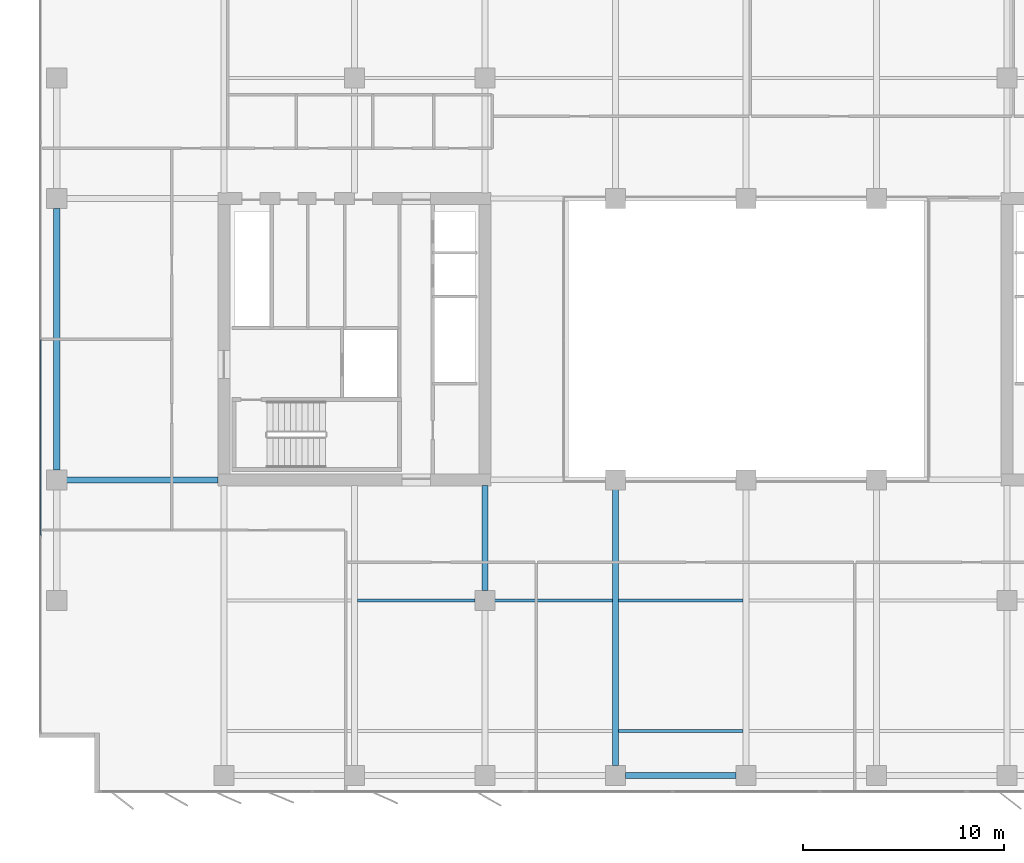
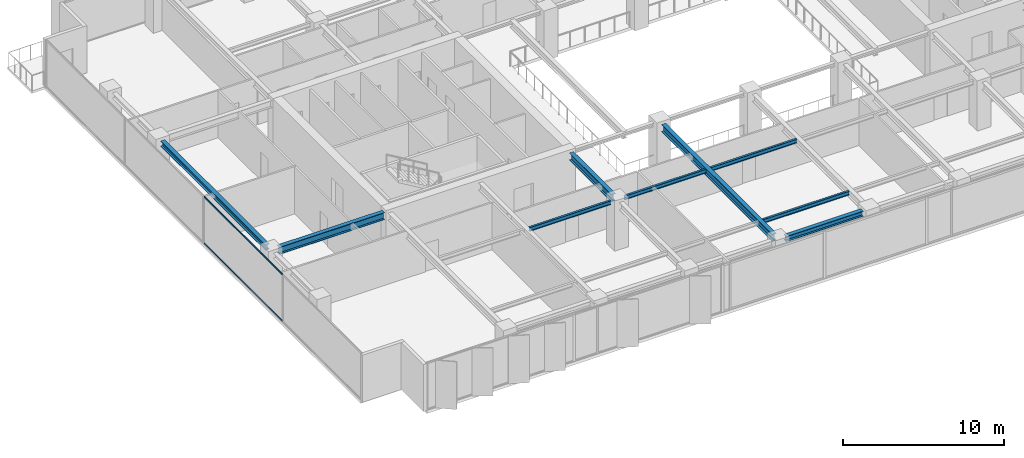
# One storey, part 3 of 22: 9 beams, 2 members, 1 element without a shape of its own.
"""IFC4 building model written with IfcOpenShell, lengths in metres."""

from ifc_helpers import new_model, si_unit, direction, frame, origin, origin_2d, place, context, subcontext, project, spatial, rectangle, i_section, extrude, material, layer, layer_set, material_profile, profile_set, type_object, element, aggregate, save


model = new_model("IFC4")

# Units and contexts
model_context = context("Model", 3, precision=1e-05, world=origin(), true_north=direction((0.0, 1.0)))
body_context = subcontext(model_context, "Body", "Model", "MODEL_VIEW")
ifc_project = project(units=[si_unit("LENGTHUNIT", "METRE"), si_unit("AREAUNIT", "SQUARE_METRE"), si_unit("VOLUMEUNIT", "CUBIC_METRE"), si_unit("PLANEANGLEUNIT", "RADIAN"), si_unit("MASSUNIT", "GRAM", prefix="KILO")], contexts=[model_context])

# Site, building, storey
site_placement = place(None, origin())
site = spatial("IfcSite", under=ifc_project, at=site_placement, CompositionType="ELEMENT")
building_placement = place(site_placement, origin())
building = spatial("IfcBuilding", under=site, at=building_placement, Name="Putna Gate Headquarters", CompositionType="ELEMENT")
storey_placement = place(building_placement, frame((0.0, 0.0, 148.0)))
storey = spatial("IfcBuildingStorey", under=building, at=storey_placement, Name="L36", CompositionType="ELEMENT", Elevation=148.0)

# Beams
ifc_material_1 = material(Name="Steel S355J2", Category="steel")
ifc_material_profile_1 = material_profile(ifc_material_1, i_section(OverallWidth=0.300048828125, OverallDepth=0.550048828125, WebThickness=0.014892578125, FlangeThickness=0.029052734375, at=origin_2d()), Name="Steel S355J2")
ifc_profile_set_1 = profile_set([ifc_material_profile_1], Name="Steel S355J2")
beam_type_1 = type_object("IfcBeamType", Name="BM-GIRD-Z3-HEB550", PredefinedType="USERDEFINED", material=ifc_profile_set_1)
beam_1_placement = place(storey_placement, frame((5.16796875, 19.0, 3.297119140625), z_axis=(1.0, 0.0, 0.0), x_axis=(0.0, 1.0, 0.0)))
element("IfcBeam", 1, at=beam_1_placement, inside=storey, type_object=beam_type_1, Name="L36 West Wing Girder Y19", ObjectType="GIRDER", PredefinedType="USERDEFINED", context=body_context, shape_type="SweptSolid", body=[
    extrude(i_section(OverallWidth=0.300048828125, OverallDepth=0.550048828125, WebThickness=0.014892578125, FlangeThickness=0.029052734375, at=origin_2d()), origin(), (0.0, 0.0, 1.0), 7.547119140625),
])
beam_2_placement = place(storey_placement, frame((26.0, 13.488037109375, 3.297119140625), z_axis=(0.0, 1.0, 0.0), x_axis=(-1.0, 0.0, 0.0)))
element("IfcBeam", 2, at=beam_2_placement, inside=storey, type_object=beam_type_1, Name="L36 South Primary Girder X26-2", ObjectType="GIRDER", PredefinedType="USERDEFINED", context=body_context, shape_type="SweptSolid", body=[
    extrude(i_section(OverallWidth=0.300048828125, OverallDepth=0.550048828125, WebThickness=0.014892578125, FlangeThickness=0.029052734375, at=origin_2d()), origin(), (0.0, 0.0, 1.0), 5.22705078125),
])
beam_3_placement = place(storey_placement, frame((32.5, 4.76806640625, 3.297119140625), z_axis=(0.0, 1.0, 0.0), x_axis=(-1.0, 0.0, 0.0)))
element("IfcBeam", 3, at=beam_3_placement, inside=storey, type_object=beam_type_1, Name="L36 South Primary Girder X32", ObjectType="GIRDER", PredefinedType="USERDEFINED", context=body_context, shape_type="SweptSolid", body=[
    extrude(i_section(OverallWidth=0.300048828125, OverallDepth=0.550048828125, WebThickness=0.014892578125, FlangeThickness=0.029052734375, at=origin_2d()), origin(), (0.0, 0.0, 1.0), 13.743896484375),
])
ifc_material_profile_2 = material_profile(ifc_material_1, i_section(OverallWidth=0.14990234375, OverallDepth=0.300048828125, WebThickness=0.007080078125, FlangeThickness=0.0107421875, at=origin_2d()), Name="Steel S355J2")
ifc_profile_set_2 = profile_set([ifc_material_profile_2], Name="Steel S355J2")
beam_type_2 = type_object("IfcBeamType", Name="BM-SEC-Z3-IPE300", PredefinedType="JOIST", material=ifc_profile_set_2)
for number, where, z_axis, x_axis, name in (
    (4, (19.654052734375, 13.0, 3.422119140625), (1.0, 0.0, 0.0), (0.0, 1.0, 0.0), "L36 South Secondary Beam 2"),
    (5, (26.488037109375, 13.0, 3.422119140625), (1.0, 0.0, 0.0), (0.0, 1.0, 0.0), "L36 South Secondary Beam 3"),
):
    element("IfcBeam", number, at=place(storey_placement, frame(where, z_axis=z_axis, x_axis=x_axis)), inside=storey, type_object=beam_type_2, Name=name, PredefinedType="JOIST", context=body_context, shape_type="SweptSolid", body=[
        extrude(i_section(OverallWidth=0.14990234375, OverallDepth=0.300048828125, WebThickness=0.007080078125, FlangeThickness=0.0107421875, at=origin_2d()), origin(), (0.0, 0.0, 1.0), 5.85791015625),
    ])
for number, where, z_axis, x_axis, name in (
    (6, (32.654052734375, 6.5, 3.422119140625), (1.0, 0.0, 0.0), (0.0, 1.0, 0.0), "L36 South Secondary Beam 4"),
    (7, (32.654052734375, 13.0, 3.422119140625), (1.0, 0.0, 0.0), (0.0, 1.0, 0.0), "L36 South Secondary Beam 4"),
):
    element("IfcBeam", number, at=place(storey_placement, frame(where, z_axis=z_axis, x_axis=x_axis)), inside=storey, type_object=beam_type_2, Name=name, PredefinedType="JOIST", context=body_context, shape_type="SweptSolid", body=[
        extrude(i_section(OverallWidth=0.14990234375, OverallDepth=0.300048828125, WebThickness=0.007080078125, FlangeThickness=0.0107421875, at=origin_2d()), origin(), (0.0, 0.0, 1.0), 6.19189453125),
    ])
ifc_material_profile_3 = material_profile(ifc_material_1, i_section(OverallWidth=0.300048828125, OverallDepth=0.39990234375, WebThickness=0.013427734375, FlangeThickness=0.02392578125, at=origin_2d()), Name="Steel S355J2")
ifc_profile_set_3 = profile_set([ifc_material_profile_3], Name="Steel S355J2")
beam_type_3 = type_object("IfcBeamType", Name="BM-SPAN-Z3-HEB400", PredefinedType="SPANDREL", material=ifc_profile_set_3)
beam_4_placement = place(storey_placement, frame((32.988037109375, 4.280029296875, 3.3720703125), z_axis=(1.0, 0.0, 0.0), x_axis=(0.0, 1.0, 0.0)))
element("IfcBeam", 8, at=beam_4_placement, inside=storey, type_object=beam_type_3, Name="L36 S Perimeter Spandrel 4", PredefinedType="SPANDREL", context=body_context, shape_type="SweptSolid", body=[
    extrude(i_section(OverallWidth=0.300048828125, OverallDepth=0.39990234375, WebThickness=0.013427734375, FlangeThickness=0.02392578125, at=origin_2d()), origin(), (0.0, 0.0, 1.0), 5.52392578125),
])
beam_5_placement = place(storey_placement, frame((4.679931640625, 19.488037109375, 3.3720703125), z_axis=(0.0, 1.0, 0.0), x_axis=(-1.0, 0.0, 0.0)))
element("IfcBeam", 9, at=beam_5_placement, inside=storey, type_object=beam_type_3, Name="L36 W End Spandrel 2", PredefinedType="SPANDREL", context=body_context, shape_type="SweptSolid", body=[
    extrude(i_section(OverallWidth=0.300048828125, OverallDepth=0.39990234375, WebThickness=0.013427734375, FlangeThickness=0.02392578125, at=origin_2d()), origin(), (0.0, 0.0, 1.0), 13.02392578125),
])

# Curtain wall, members
ifc_material_2 = material(Name="Anodised bronze aluminium curtain wall", Category="aluminium")
ifc_layer = layer(ifc_material_2, 0.159912109375)
ifc_layer_set = layer_set([ifc_layer], Name="Anodised bronze aluminium curtain wall")
curtain_wall_type = type_object("IfcCurtainWallType", Name="CW-SYS-Z3", PredefinedType="USERDEFINED", material=ifc_layer_set)
curtain_wall_placement = place(storey_placement, origin())
curtain_wall = element("IfcCurtainWall", 10, at=curtain_wall_placement, inside=storey, type_object=curtain_wall_type, Name="L36 West Curtain Wall", ObjectType="STICK CURTAIN WALL", PredefinedType="USERDEFINED")
ifc_material_3 = material(Name="Anodised bronze aluminium EN AW-6060", Category="aluminium")
ifc_material_profile_4 = material_profile(ifc_material_3, rectangle(XDim=0.06005859375, YDim=0.10009765625, at=origin_2d()), Name="Anodised bronze aluminium EN AW-6060")
ifc_profile_set_4 = profile_set([ifc_material_profile_4], Name="Anodised bronze aluminium EN AW-6060")
member_type = type_object("IfcMemberType", Name="TRAN-CWT-3", PredefinedType="USERDEFINED", material=ifc_profile_set_4)
member_1_placement = place(storey_placement, frame((3.8798828125, 16.232421875, 0.030029296875), z_axis=(0.0, 1.0, 0.0), x_axis=(-1.0, 0.0, 0.0)))
member_1 = element("IfcMember", 11, at=member_1_placement, type_object=member_type, Name="CWS-3 transom 2.1", ObjectType="TRANSOM", PredefinedType="USERDEFINED", context=body_context, shape_type="SweptSolid", body=[
    extrude(rectangle(XDim=0.06005859375, YDim=0.10009765625, at=origin_2d()), origin(), (0.0, 0.0, 1.0), 9.735107421875),
])
member_2_placement = place(storey_placement, frame((3.8798828125, 16.232421875, 3.5419921875), z_axis=(0.0, 1.0, 0.0), x_axis=(-1.0, 0.0, 0.0)))
member_2 = element("IfcMember", 12, at=member_2_placement, type_object=member_type, Name="CWS-3 transom 2.2", ObjectType="TRANSOM", PredefinedType="USERDEFINED", context=body_context, shape_type="SweptSolid", body=[
    extrude(rectangle(XDim=0.06005859375, YDim=0.10009765625, at=origin_2d()), origin(), (0.0, 0.0, 1.0), 9.735107421875),
])
aggregate(curtain_wall, [member_1, member_2])

save(model, "model.ifc")
